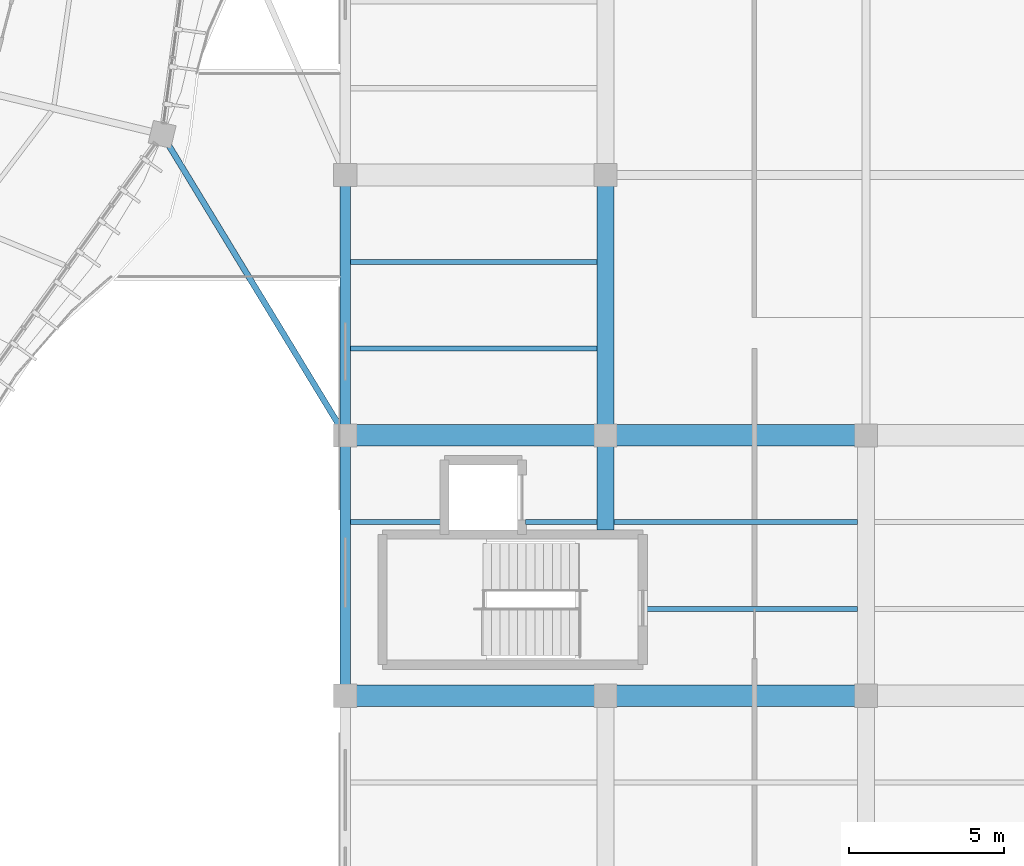
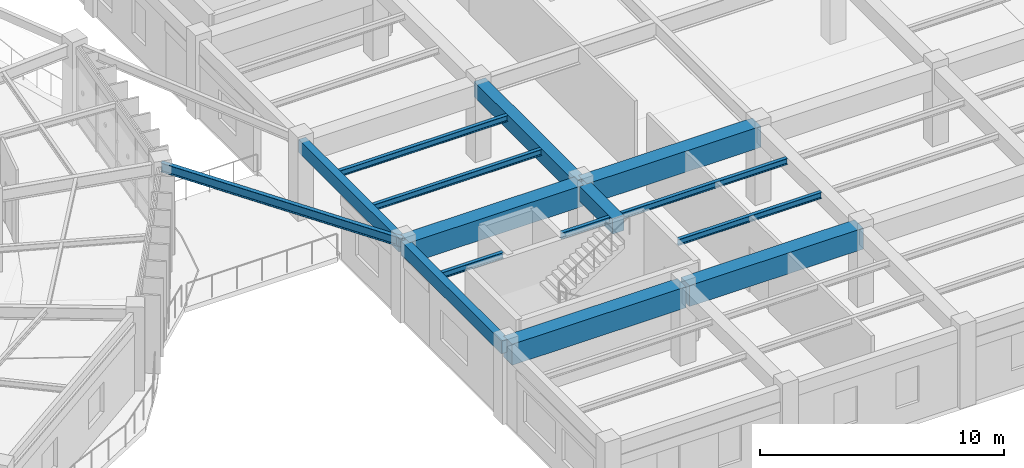
# One storey, part 95 of 152: 15 beams.
"""IFC4 building model written with IfcOpenShell, lengths in metres."""

from ifc_helpers import new_model, si_unit, direction, frame, origin, origin_2d, place, context, subcontext, project, spatial, rectangle, i_section, extrude, material, material_profile, profile_set, type_object, element, save


model = new_model("IFC4")

# Units and contexts
model_context = context("Model", 3, precision=1e-05, world=origin(), true_north=direction((0.0, 1.0)))
body_context = subcontext(model_context, "Body", "Model", "MODEL_VIEW")
ifc_project = project(units=[si_unit("LENGTHUNIT", "METRE"), si_unit("AREAUNIT", "SQUARE_METRE"), si_unit("VOLUMEUNIT", "CUBIC_METRE"), si_unit("PLANEANGLEUNIT", "RADIAN"), si_unit("MASSUNIT", "GRAM", prefix="KILO"), si_unit("THERMODYNAMICTEMPERATUREUNIT", "KELVIN"), si_unit("POWERUNIT", "WATT")], contexts=[model_context])

# Site, building, storey
site_placement = place(None, origin())
site = spatial("IfcSite", under=ifc_project, at=site_placement, CompositionType="ELEMENT")
building_placement = place(site_placement, origin())
building = spatial("IfcBuilding", under=site, at=building_placement, Name="Darbajah Civic Hall", CompositionType="ELEMENT")
storey_placement = place(building_placement, frame((0.0, 0.0, 5.39990234375)))
storey = spatial("IfcBuildingStorey", under=building, at=storey_placement, Name="L01", CompositionType="ELEMENT", Elevation=5.39990234375)

# Beams
ifc_material_1 = material(Name="Concrete C45/55", Category="concrete")
ifc_material_profile_1 = material_profile(ifc_material_1, rectangle(XDim=0.550048828125, YDim=0.75, at=origin_2d()), Name="RC BEAM 550x750")
ifc_profile_set_1 = profile_set([ifc_material_profile_1], Name="Concrete C45/55")
beam_type_1 = type_object("IfcBeamType", Name="RC BEAM 550x750", PredefinedType="BEAM", material=ifc_profile_set_1)
beam_1_placement = place(storey_placement, frame((153.0, 70.139892578125, 3.485107421875), z_axis=(0.0, 1.0, 0.0), x_axis=(-1.0, 0.0, 0.0)))
element("IfcBeam", 1, at=beam_1_placement, inside=storey, type_object=beam_type_1, Name="L01 beam BM-5575", PredefinedType="BEAM", context=body_context, shape_type="SweptSolid", body=[
    extrude(rectangle(XDim=0.550048828125, YDim=0.75, at=origin_2d()), origin(), (0.0, 0.0, 1.0), 2.980224609375),
])
beam_2_placement = place(storey_placement, frame((153.0, 73.280029296875, 3.485107421875), z_axis=(0.0, 1.0, 0.0), x_axis=(-1.0, 0.0, 0.0)))
element("IfcBeam", 2, at=beam_2_placement, inside=storey, type_object=beam_type_1, Name="L01 beam BM-5575", PredefinedType="BEAM", context=body_context, shape_type="SweptSolid", body=[
    extrude(rectangle(XDim=0.550048828125, YDim=0.75, at=origin_2d()), origin(), (0.0, 0.0, 1.0), 8.239990234375),
])
ifc_material_2 = material(Name="Concrete C50/60", Category="concrete")
ifc_material_profile_2 = material_profile(ifc_material_2, rectangle(XDim=0.699951171875, YDim=1.050048828125, at=origin_2d()), Name="RC GIRDER 700x1050")
ifc_profile_set_2 = profile_set([ifc_material_profile_2], Name="Concrete C50/60")
beam_type_2 = type_object("IfcBeamType", Name="RC GIRDER 700x1050", PredefinedType="BEAM", material=ifc_profile_set_2)
for number, where, z_axis, x_axis, name in (
    (3, (144.679931640625, 64.800048828125, 3.335205078125), (1.0, 0.0, 0.0), (0.0, 1.0, 0.0), "L01 beam BG-7010"),
    (4, (153.080078125, 64.800048828125, 3.335205078125), (1.0, 0.0, 0.0), (0.0, 1.0, 0.0), "L01 beam BG-7010"),
    (5, (144.679931640625, 73.199951171875, 3.335205078125), (1.0, 0.0, 0.0), (0.0, 1.0, 0.0), "L01 beam BG-7010"),
    (6, (153.080078125, 73.199951171875, 3.335205078125), (1.0, 0.0, 0.0), (0.0, 1.0, 0.0), "L01 beam BG-7010"),
):
    element("IfcBeam", number, at=place(storey_placement, frame(where, z_axis=z_axis, x_axis=x_axis)), inside=storey, type_object=beam_type_2, Name=name, PredefinedType="BEAM", context=body_context, shape_type="SweptSolid", body=[
        extrude(rectangle(XDim=0.699951171875, YDim=1.050048828125, at=origin_2d()), origin(), (0.0, 0.0, 1.0), 8.239990234375),
    ])
ifc_material_profile_3 = material_profile(ifc_material_1, rectangle(XDim=0.35009765625, YDim=0.64990234375, at=origin_2d()), Name="RC SPANDREL 350x650")
ifc_profile_set_3 = profile_set([ifc_material_profile_3], Name="Concrete C45/55")
beam_type_3 = type_object("IfcBeamType", Name="RC SPANDREL 350x650", PredefinedType="SPANDREL", material=ifc_profile_set_3)
beam_3_placement = place(storey_placement, frame((144.60009765625, 64.8798828125, 3.53515625), z_axis=(0.0, 1.0, 0.0), x_axis=(-1.0, 0.0, 0.0)))
element("IfcBeam", 7, at=beam_3_placement, inside=storey, type_object=beam_type_3, Name="L01 beam SP-3565", PredefinedType="SPANDREL", context=body_context, shape_type="SweptSolid", body=[
    extrude(rectangle(XDim=0.35009765625, YDim=0.64990234375, at=origin_2d()), origin(), (0.0, 0.0, 1.0), 8.240234375),
])
beam_4_placement = place(storey_placement, frame((144.60009765625, 73.280029296875, 3.53515625), z_axis=(0.0, 1.0, 0.0), x_axis=(-1.0, 0.0, 0.0)))
element("IfcBeam", 8, at=beam_4_placement, inside=storey, type_object=beam_type_3, Name="L01 beam SP-3565", PredefinedType="SPANDREL", context=body_context, shape_type="SweptSolid", body=[
    extrude(rectangle(XDim=0.35009765625, YDim=0.64990234375, at=origin_2d()), origin(), (0.0, 0.0, 1.0), 8.239990234375),
])
ifc_material_3 = material(Name="Steel S355JR", Category="steel")
ifc_material_profile_4 = material_profile(ifc_material_3, i_section(OverallWidth=0.165771484375, OverallDepth=0.306640625, WebThickness=0.006591796875, FlangeThickness=0.01171875, FilletRadius=0.0087890625, at=origin_2d()), Name="UB 305x165x46")
ifc_profile_set_4 = profile_set([ifc_material_profile_4], Name="Steel S355JR")
beam_type_4 = type_object("IfcBeamType", Name="UB 305x165x46", PredefinedType="JOIST", material=ifc_profile_set_4)
beam_5_placement = place(storey_placement, frame((144.77490234375, 70.39990234375, 3.706787109375), z_axis=(1.0, 0.0, 0.0), x_axis=(0.0, 1.0, 0.0)))
element("IfcBeam", 9, at=beam_5_placement, inside=storey, type_object=beam_type_4, Name="L01 beam SJ-305", PredefinedType="JOIST", context=body_context, shape_type="SweptSolid", body=[
    extrude(i_section(OverallWidth=0.165771484375, OverallDepth=0.306640625, WebThickness=0.006591796875, FlangeThickness=0.01171875, FilletRadius=0.0087890625, at=origin_2d()), origin(), (0.0, 0.0, 1.0), 2.905029296875),
])
beam_6_placement = place(storey_placement, frame((150.419921875, 70.39990234375, 3.706787109375), z_axis=(1.0, 0.0, 0.0), x_axis=(0.0, 1.0, 0.0)))
element("IfcBeam", 10, at=beam_6_placement, inside=storey, type_object=beam_type_4, Name="L01 beam SJ-305", PredefinedType="JOIST", context=body_context, shape_type="SweptSolid", body=[
    extrude(i_section(OverallWidth=0.165771484375, OverallDepth=0.306640625, WebThickness=0.006591796875, FlangeThickness=0.01171875, FilletRadius=0.0087890625, at=origin_2d()), origin(), (0.0, 0.0, 1.0), 2.30517578125),
])
for number, where, z_axis, x_axis, name in (
    (11, (144.77490234375, 76.0, 3.706787109375), (1.0, 0.0, 0.0), (0.0, 1.0, 0.0), "L01 beam SJ-305"),
    (12, (144.77490234375, 78.800048828125, 3.706787109375), (1.0, 0.0, 0.0), (0.0, 1.0, 0.0), "L01 beam SJ-305"),
):
    element("IfcBeam", number, at=place(storey_placement, frame(where, z_axis=z_axis, x_axis=x_axis)), inside=storey, type_object=beam_type_4, Name=name, PredefinedType="JOIST", context=body_context, shape_type="SweptSolid", body=[
        extrude(i_section(OverallWidth=0.165771484375, OverallDepth=0.306640625, WebThickness=0.006591796875, FlangeThickness=0.01171875, FilletRadius=0.0087890625, at=origin_2d()), origin(), (0.0, 0.0, 1.0), 7.9501953125),
    ])
beam_7_placement = place(storey_placement, frame((154.340087890625, 67.60009765625, 3.706787109375), z_axis=(1.0, 0.0, 0.0), x_axis=(0.0, 1.0, 0.0)))
element("IfcBeam", 13, at=beam_7_placement, inside=storey, type_object=beam_type_4, Name="L01 beam SJ-305", PredefinedType="JOIST", context=body_context, shape_type="SweptSolid", body=[
    extrude(i_section(OverallWidth=0.165771484375, OverallDepth=0.306640625, WebThickness=0.006591796875, FlangeThickness=0.01171875, FilletRadius=0.0087890625, at=origin_2d()), origin(), (0.0, 0.0, 1.0), 6.784912109375),
])
beam_8_placement = place(storey_placement, frame((153.27490234375, 70.39990234375, 3.706787109375), z_axis=(1.0, 0.0, 0.0), x_axis=(0.0, 1.0, 0.0)))
element("IfcBeam", 14, at=beam_8_placement, inside=storey, type_object=beam_type_4, Name="L01 beam SJ-305", PredefinedType="JOIST", context=body_context, shape_type="SweptSolid", body=[
    extrude(i_section(OverallWidth=0.165771484375, OverallDepth=0.306640625, WebThickness=0.006591796875, FlangeThickness=0.01171875, FilletRadius=0.0087890625, at=origin_2d()), origin(), (0.0, 0.0, 1.0), 7.85009765625),
])
ifc_material_profile_5 = material_profile(ifc_material_3, i_section(OverallWidth=0.1904296875, OverallDepth=0.45703125, WebThickness=0.009033203125, FlangeThickness=0.014404296875, FilletRadius=0.01025390625, at=origin_2d()), Name="UB 457x191x74")
ifc_profile_set_5 = profile_set([ifc_material_profile_5], Name="Steel S355JR")
beam_type_5 = type_object("IfcBeamType", Name="UB 457x191x74", PredefinedType="BEAM", material=ifc_profile_set_5)
beam_9_placement = place(storey_placement, frame((138.72216796875, 82.862060546875, 3.70166015625), z_axis=(0.519726613867, -0.854332632432, 0.0), x_axis=(0.854332632432, 0.519726613867, 0.0)))
element("IfcBeam", 15, at=beam_9_placement, inside=storey, type_object=beam_type_5, Name="L01 beam SB-457", PredefinedType="BEAM", context=body_context, shape_type="SweptSolid", body=[
    extrude(i_section(OverallWidth=0.1904296875, OverallDepth=0.45703125, WebThickness=0.009033203125, FlangeThickness=0.014404296875, FilletRadius=0.01025390625, at=origin_2d()), origin(), (0.0, 0.0, 1.0), 11.24951171875),
])

save(model, "model.ifc")
